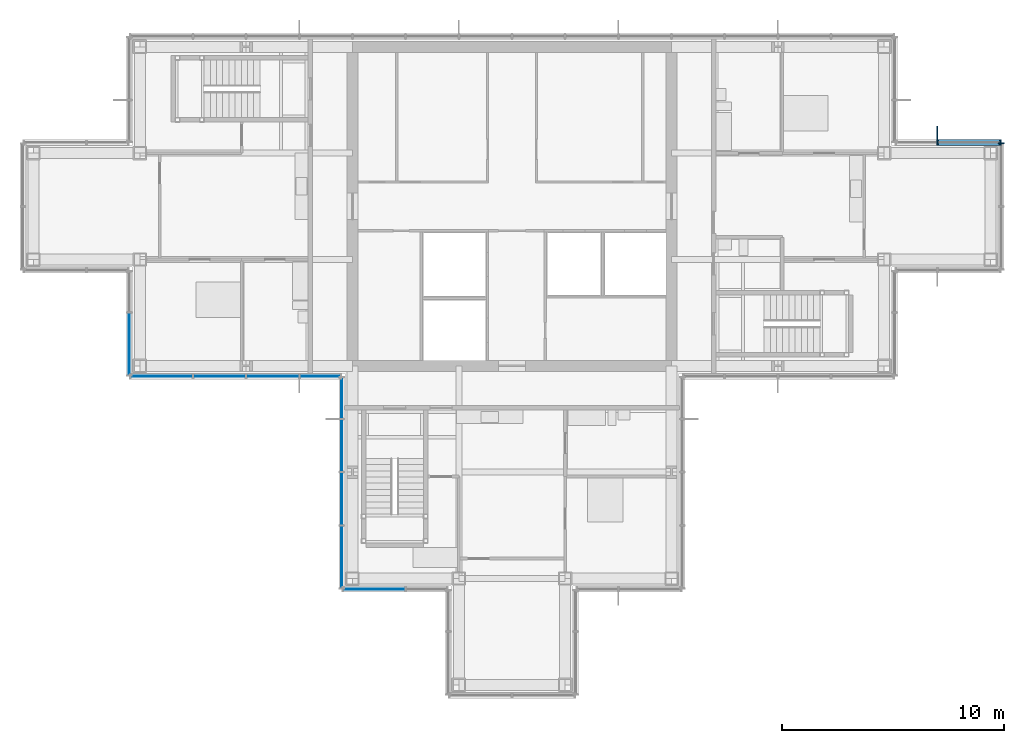
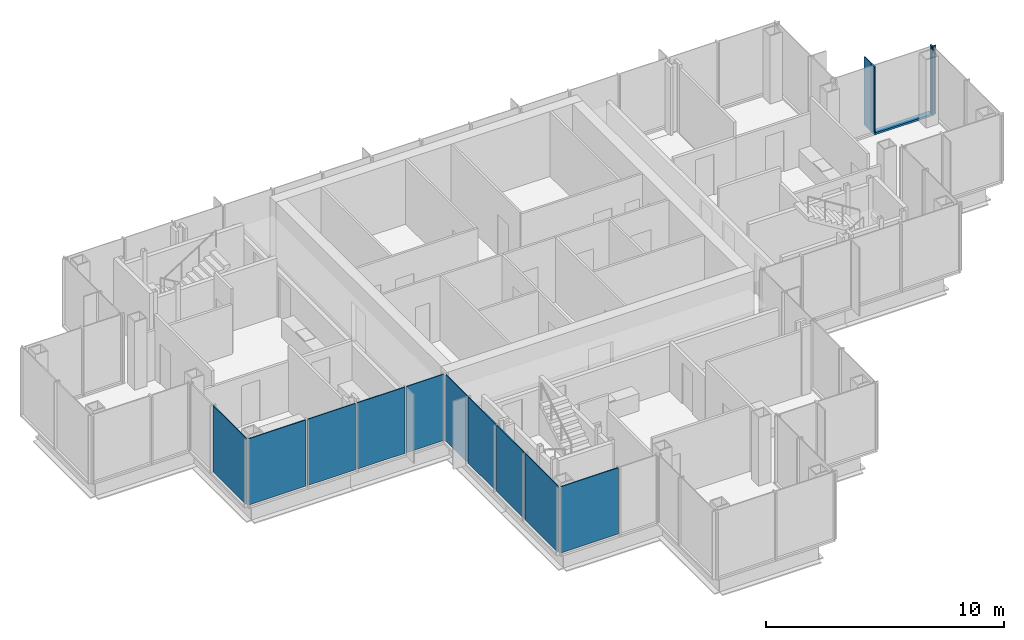
# One storey, part 8 of 15: 10 plates, 5 members, 6 elements without a shape of their own.
"""IFC4 building model written with IfcOpenShell, lengths in metres."""

from ifc_helpers import new_model, si_unit, direction, frame, origin, origin_2d, place, context, subcontext, project, spatial, rectangle, extrude, material, layer, layer_set, material_profile, profile_set, type_object, element, aggregate, save


model = new_model("IFC4")

# Units and contexts
model_context = context("Model", 3, precision=1e-05, world=origin(), true_north=direction((0.0, 1.0)))
body_context = subcontext(model_context, "Body", "Model", "MODEL_VIEW")
ifc_project = project(units=[si_unit("LENGTHUNIT", "METRE"), si_unit("AREAUNIT", "SQUARE_METRE"), si_unit("VOLUMEUNIT", "CUBIC_METRE"), si_unit("PLANEANGLEUNIT", "RADIAN"), si_unit("MASSUNIT", "GRAM", prefix="KILO")], contexts=[model_context])

# Site, building, storey
site_placement = place(None, origin())
site = spatial("IfcSite", under=ifc_project, at=site_placement, CompositionType="ELEMENT")
building_placement = place(site_placement, origin())
building = spatial("IfcBuilding", under=site, at=building_placement, Name="Kvirike Care Tower", CompositionType="ELEMENT")
storey_placement = place(building_placement, frame((0.0, 0.0, 201.5)))
storey = spatial("IfcBuildingStorey", under=building, at=storey_placement, Name="L55", CompositionType="ELEMENT", Elevation=201.5)

# Curtain wall, member
ifc_material_1 = material(Name="Anodised aluminium stick system", Category="aluminium")
curtain_wall_type = type_object("IfcCurtainWallType", Name="CW-D STICK CURTAIN WALL", PredefinedType="NOTDEFINED", material=ifc_material_1)
curtain_wall_1_placement = place(storey_placement, origin())
curtain_wall_1 = element("IfcCurtainWall", 1, at=curtain_wall_1_placement, inside=storey, type_object=curtain_wall_type, Name="Curtain wall L55 face 5", PredefinedType="NOTDEFINED")
ifc_material_2 = material(Name="Bronze anodised aluminium fin", Category="aluminium")
ifc_material_profile_1 = material_profile(ifc_material_2, rectangle(XDim=0.050048828125, YDim=0.60009765625, at=origin_2d()), Name="BRONZE FIN 600")
ifc_profile_set_1 = profile_set([ifc_material_profile_1], Name="Bronze anodised aluminium fin")
member_type_1 = type_object("IfcMemberType", Name="BRONZE FIN 600", PredefinedType="USERDEFINED", material=ifc_profile_set_1)
member_1_placement = place(storey_placement, frame((40.800048828125, 39.31005859375, 0.0), z_axis=(0.0, 0.0, 1.0), x_axis=(-1.0, 0.0, 0.0)))
member_1 = element("IfcMember", 2, at=member_1_placement, type_object=member_type_1, Name="Bronze fin L55 face 5.2", ObjectType="FIN", PredefinedType="USERDEFINED", context=body_context, shape_type="SweptSolid", body=[
    extrude(rectangle(XDim=0.050048828125, YDim=0.60009765625, at=origin_2d()), origin(), (0.0, 0.0, 1.0), 3.5),
])

curtain_wall_2_placement = place(storey_placement, origin())
curtain_wall_2 = element("IfcCurtainWall", 3, at=curtain_wall_2_placement, inside=storey, type_object=curtain_wall_type, Name="Curtain wall L55 face 4", PredefinedType="NOTDEFINED")
ifc_material_3 = material(Name="Bronze anodised aluminium mullion", Category="aluminium")
ifc_material_profile_2 = material_profile(ifc_material_3, rectangle(XDim=0.06494140625, YDim=0.260009765625, at=origin_2d()), Name="CW-D MULLION 65x260")
ifc_profile_set_2 = profile_set([ifc_material_profile_2], Name="Bronze anodised aluminium mullion")
member_type_2 = type_object("IfcMemberType", Name="CW-D MULLION 65x260", PredefinedType="MULLION", material=ifc_profile_set_2)
member_2_placement = place(storey_placement, frame((43.679931640625, 38.847412109375, 0.0), z_axis=(0.0, 0.0, 1.0), x_axis=(0.0, 1.0, 0.0)))
member_2 = element("IfcMember", 4, at=member_2_placement, type_object=member_type_2, Name="CW-D mullion L55 face 4.3", PredefinedType="MULLION", context=body_context, shape_type="SweptSolid", body=[
    extrude(rectangle(XDim=0.06494140625, YDim=0.260009765625, at=origin_2d()), origin(), (0.0, 0.0, 1.0), 3.5),
])
aggregate(curtain_wall_2, [member_2])

# Member
member_3_placement = place(storey_placement, frame((43.6474609375, 38.8798828125, 0.0), z_axis=(0.0, 0.0, 1.0), x_axis=(-1.0, 0.0, 0.0)))
member_3 = element("IfcMember", 5, at=member_3_placement, type_object=member_type_2, Name="CW-D mullion L55 face 5.1", PredefinedType="MULLION", context=body_context, shape_type="SweptSolid", body=[
    extrude(rectangle(XDim=0.06494140625, YDim=0.260009765625, at=origin_2d()), origin(), (0.0, 0.0, 1.0), 3.5),
])

member_4_placement = place(storey_placement, frame((40.800048828125, 38.8798828125, 0.0), z_axis=(0.0, 0.0, 1.0), x_axis=(-1.0, 0.0, 0.0)))
member_4 = element("IfcMember", 6, at=member_4_placement, type_object=member_type_2, Name="CW-D mullion L55 face 5.2", PredefinedType="MULLION", context=body_context, shape_type="SweptSolid", body=[
    extrude(rectangle(XDim=0.06494140625, YDim=0.260009765625, at=origin_2d()), origin(), (0.0, 0.0, 1.0), 3.5),
])

ifc_material_4 = material(Name="Bronze anodised aluminium transom", Category="aluminium")
ifc_material_profile_3 = material_profile(ifc_material_4, rectangle(XDim=0.260009765625, YDim=0.10009765625, at=origin_2d()), Name="CW-D TRANSOM 260x100")
ifc_profile_set_3 = profile_set([ifc_material_profile_3], Name="Bronze anodised aluminium transom")
member_type_3 = type_object("IfcMemberType", Name="CW-D TRANSOM 260x100", PredefinedType="USERDEFINED", material=ifc_profile_set_3)
member_5_placement = place(storey_placement, frame((43.614990234375, 38.8798828125, 0.050048828125), z_axis=(-1.0, 0.0, 0.0), x_axis=(0.0, -1.0, 0.0)))
member_5 = element("IfcMember", 7, at=member_5_placement, type_object=member_type_3, Name="CW-D sill transom L55 face 5.1", ObjectType="TRANSOM", PredefinedType="USERDEFINED", context=body_context, shape_type="SweptSolid", body=[
    extrude(rectangle(XDim=0.260009765625, YDim=0.10009765625, at=origin_2d()), origin(), (0.0, 0.0, 1.0), 2.782470703125),
])

aggregate(curtain_wall_1, [member_3, member_4, member_1, member_5])

# Curtain wall, plate
curtain_wall_3_placement = place(storey_placement, origin())
curtain_wall_3 = element("IfcCurtainWall", 8, at=curtain_wall_3_placement, inside=storey, type_object=curtain_wall_type, Name="Curtain wall L55 face 12", PredefinedType="NOTDEFINED")
ifc_material_5 = material(Name="Tinted double glazed unit", Category="glass")
ifc_layer = layer(ifc_material_5, 0.0439453125)
ifc_layer_set = layer_set([ifc_layer], Name="TINTED VISION PANEL 44")
plate_type = type_object("IfcPlateType", Name="TINTED VISION PANEL 44", PredefinedType="CURTAIN_PANEL", material=ifc_layer_set)
plate_1_placement = place(storey_placement, frame((4.320068359375, 29.7763671875, 0.10009765625), z_axis=(0.0, 0.0, 1.0), x_axis=(0.0, -1.0, 0.0)))
plate_1 = element("IfcPlate", 9, at=plate_1_placement, type_object=plate_type, Name="CW-D panel L55 face 12.2", PredefinedType="CURTAIN_PANEL", context=body_context, shape_type="SweptSolid", body=[
    extrude(rectangle(XDim=2.782470703125, YDim=0.0439453125, at=origin_2d()), origin(), (0.0, 0.0, 1.0), 3.39990234375),
])
aggregate(curtain_wall_3, [plate_1])

# Curtain wall, plates
curtain_wall_4_placement = place(storey_placement, origin())
curtain_wall_4 = element("IfcCurtainWall", 10, at=curtain_wall_4_placement, inside=storey, type_object=curtain_wall_type, Name="Curtain wall L55 face 13", PredefinedType="NOTDEFINED")
plate_2_placement = place(storey_placement, frame((5.7763671875, 28.320068359375, 0.10009765625), z_axis=(0.0, 0.0, 1.0), x_axis=(1.0, 0.0, 0.0)))
plate_2 = element("IfcPlate", 11, at=plate_2_placement, type_object=plate_type, Name="CW-D panel L55 face 13.1", PredefinedType="CURTAIN_PANEL", context=body_context, shape_type="SweptSolid", body=[
    extrude(rectangle(XDim=2.782470703125, YDim=0.0439453125, at=origin_2d()), origin(), (0.0, 0.0, 1.0), 3.39990234375),
])
plate_3_placement = place(storey_placement, frame((8.39990234375, 28.320068359375, 0.10009765625), z_axis=(0.0, 0.0, 1.0), x_axis=(1.0, 0.0, 0.0)))
plate_3 = element("IfcPlate", 12, at=plate_3_placement, type_object=plate_type, Name="CW-D panel L55 face 13.2", PredefinedType="CURTAIN_PANEL", context=body_context, shape_type="SweptSolid", body=[
    extrude(rectangle(XDim=2.3349609375, YDim=0.0439453125, at=origin_2d()), origin(), (0.0, 0.0, 1.0), 3.39990234375),
])
plate_4_placement = place(storey_placement, frame((10.800048828125, 28.320068359375, 0.10009765625), z_axis=(0.0, 0.0, 1.0), x_axis=(1.0, 0.0, 0.0)))
plate_4 = element("IfcPlate", 13, at=plate_4_placement, type_object=plate_type, Name="CW-D panel L55 face 13.3", PredefinedType="CURTAIN_PANEL", context=body_context, shape_type="SweptSolid", body=[
    extrude(rectangle(XDim=2.3349609375, YDim=0.0439453125, at=origin_2d()), origin(), (0.0, 0.0, 1.0), 3.39990234375),
])
plate_5_placement = place(storey_placement, frame((12.94384765625, 28.320068359375, 0.10009765625), z_axis=(0.0, 0.0, 1.0), x_axis=(1.0, 0.0, 0.0)))
plate_5 = element("IfcPlate", 14, at=plate_5_placement, type_object=plate_type, Name="CW-D panel L55 face 13.4", PredefinedType="CURTAIN_PANEL", context=body_context, shape_type="SweptSolid", body=[
    extrude(rectangle(XDim=1.822509765625, YDim=0.0439453125, at=origin_2d()), origin(), (0.0, 0.0, 1.0), 3.39990234375),
])
aggregate(curtain_wall_4, [plate_2, plate_3, plate_4, plate_5])

curtain_wall_5_placement = place(storey_placement, origin())
curtain_wall_5 = element("IfcCurtainWall", 15, at=curtain_wall_5_placement, inside=storey, type_object=curtain_wall_type, Name="Curtain wall L55 face 14", PredefinedType="NOTDEFINED")
plate_6_placement = place(storey_placement, frame((13.919921875, 27.34375, 0.10009765625), z_axis=(0.0, 0.0, 1.0), x_axis=(0.0, -1.0, 0.0)))
plate_6 = element("IfcPlate", 16, at=plate_6_placement, type_object=plate_type, Name="CW-D panel L55 face 14.1", PredefinedType="CURTAIN_PANEL", context=body_context, shape_type="SweptSolid", body=[
    extrude(rectangle(XDim=1.822509765625, YDim=0.0439453125, at=origin_2d()), origin(), (0.0, 0.0, 1.0), 3.39990234375),
])
plate_7_placement = place(storey_placement, frame((13.919921875, 25.199951171875, 0.10009765625), z_axis=(0.0, 0.0, 1.0), x_axis=(0.0, -1.0, 0.0)))
plate_7 = element("IfcPlate", 17, at=plate_7_placement, type_object=plate_type, Name="CW-D panel L55 face 14.2", PredefinedType="CURTAIN_PANEL", context=body_context, shape_type="SweptSolid", body=[
    extrude(rectangle(XDim=2.3349609375, YDim=0.0439453125, at=origin_2d()), origin(), (0.0, 0.0, 1.0), 3.39990234375),
])
plate_8_placement = place(storey_placement, frame((13.919921875, 22.800048828125, 0.10009765625), z_axis=(0.0, 0.0, 1.0), x_axis=(0.0, -1.0, 0.0)))
plate_8 = element("IfcPlate", 18, at=plate_8_placement, type_object=plate_type, Name="CW-D panel L55 face 14.3", PredefinedType="CURTAIN_PANEL", context=body_context, shape_type="SweptSolid", body=[
    extrude(rectangle(XDim=2.3349609375, YDim=0.0439453125, at=origin_2d()), origin(), (0.0, 0.0, 1.0), 3.39990234375),
])
plate_9_placement = place(storey_placement, frame((13.919921875, 20.17626953125, 0.10009765625), z_axis=(0.0, 0.0, 1.0), x_axis=(0.0, -1.0, 0.0)))
plate_9 = element("IfcPlate", 19, at=plate_9_placement, type_object=plate_type, Name="CW-D panel L55 face 14.4", PredefinedType="CURTAIN_PANEL", context=body_context, shape_type="SweptSolid", body=[
    extrude(rectangle(XDim=2.782470703125, YDim=0.0439453125, at=origin_2d()), origin(), (0.0, 0.0, 1.0), 3.39990234375),
])
aggregate(curtain_wall_5, [plate_6, plate_7, plate_8, plate_9])

# Curtain wall, plate
curtain_wall_6_placement = place(storey_placement, origin())
curtain_wall_6 = element("IfcCurtainWall", 20, at=curtain_wall_6_placement, inside=storey, type_object=curtain_wall_type, Name="Curtain wall L55 face 15", PredefinedType="NOTDEFINED")
plate_10_placement = place(storey_placement, frame((15.376220703125, 18.719970703125, 0.10009765625), z_axis=(0.0, 0.0, 1.0), x_axis=(1.0, 0.0, 0.0)))
plate_10 = element("IfcPlate", 21, at=plate_10_placement, type_object=plate_type, Name="CW-D panel L55 face 15.1", PredefinedType="CURTAIN_PANEL", context=body_context, shape_type="SweptSolid", body=[
    extrude(rectangle(XDim=2.782470703125, YDim=0.0439453125, at=origin_2d()), origin(), (0.0, 0.0, 1.0), 3.39990234375),
])
aggregate(curtain_wall_6, [plate_10])

save(model, "model.ifc")
